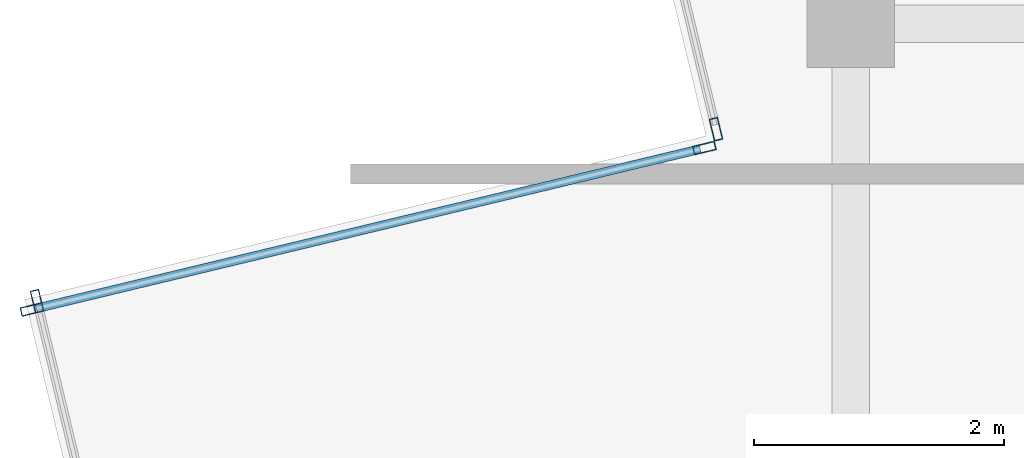
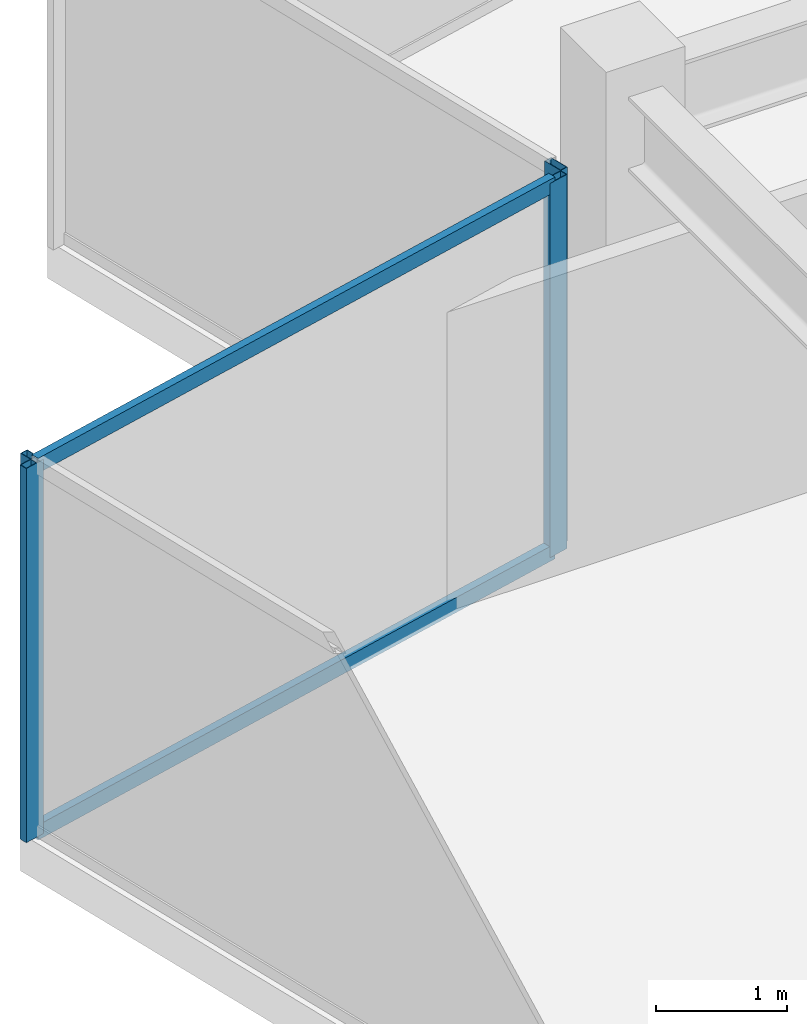
# One storey, part 7 of 19: 6 members, 3 elements without a shape of their own.
"""IFC4 building model written with IfcOpenShell, lengths in metres."""

from ifc_helpers import new_model, si_unit, direction, frame, origin, origin_2d, place, context, subcontext, project, spatial, hollow_rectangle, extrude, source, transform, mapped, material, material_profile, profile_set, type_object, type_shapes, element, aggregate, save


model = new_model("IFC4")

# Units and contexts
model_context = context("Model", 3, precision=1e-05, world=origin(), true_north=direction((0.0, 1.0)))
body_context = subcontext(model_context, "Body", "Model", "MODEL_VIEW")
ifc_project = project(units=[si_unit("LENGTHUNIT", "METRE"), si_unit("AREAUNIT", "SQUARE_METRE"), si_unit("VOLUMEUNIT", "CUBIC_METRE"), si_unit("PLANEANGLEUNIT", "RADIAN"), si_unit("MASSUNIT", "GRAM", prefix="KILO")], contexts=[model_context])

# Site, building, storey
site_placement = place(None, origin())
site = spatial("IfcSite", under=ifc_project, at=site_placement, CompositionType="ELEMENT")
building_placement = place(site_placement, origin())
building = spatial("IfcBuilding", under=site, at=building_placement, Name="Krantzveldt Concourse Tower", CompositionType="ELEMENT")
storey_placement = place(building_placement, frame((0.0, 0.0, 363.25)))
storey = spatial("IfcBuildingStorey", under=building, at=storey_placement, Name="L89", CompositionType="ELEMENT", Elevation=363.25)

# Curtain wall, member
ifc_material = material(Name="Anodised aluminium 6063-T6", Category="aluminium")
curtain_wall_type = type_object("IfcCurtainWallType", Name="CW7", PredefinedType="USERDEFINED", material=ifc_material)
curtain_wall_1_placement = place(storey_placement, origin())
curtain_wall_1 = element("IfcCurtainWall", 1, at=curtain_wall_1_placement, inside=storey, type_object=curtain_wall_type, Name="CW-L89-BASE-02", ObjectType="UNITISED CURTAIN WALL", PredefinedType="USERDEFINED")
ifc_material_profile_1 = material_profile(ifc_material, hollow_rectangle(XDim=0.070068359375, YDim=0.179931640625, WallThickness=0.0048828125, at=origin_2d()), Name="Anodised aluminium 6063-T6", Category="aluminium")
ifc_profile_set_1 = profile_set([ifc_material_profile_1], Name="Anodised aluminium 6063-T6 - ALU-MULL 180x70x5")
member_type_1 = type_object("IfcMemberType", Name="CW-MUL-180", PredefinedType="MULLION", material=ifc_profile_set_1)
shared_shape_1 = source(origin(), body_context, "Body", "SweptSolid", [
    extrude(hollow_rectangle(XDim=0.070068359375, YDim=0.179931640625, WallThickness=0.0048828125, at=origin_2d()), origin(), (0.0, 0.0, 1.0), 3.5),
])
type_shapes(member_type_1, [shared_shape_1])
member_1_placement = place(storey_placement, frame((19.92138671875, 36.65673828125, 0.0), z_axis=(0.0, 0.0, 1.0), x_axis=(0.972369663588, 0.233446433541, 0.0)))
member_1 = element("IfcMember", 2, at=member_1_placement, type_object=member_type_1, Name="CW-CRN mullion 2", PredefinedType="MULLION", context=body_context, shape_type="MappedRepresentation", body=[
    mapped(shared_shape_1, transform((0.0, 0.0, 0.0), x_axis=(1.0, 0.0, 0.0), y_axis=(0.0, 1.0, 0.0), z_axis=(0.0, 0.0, 1.0), scale=1.0)),
])
aggregate(curtain_wall_1, [member_1])

# Curtain wall, members
curtain_wall_2_placement = place(storey_placement, origin())
curtain_wall_2 = element("IfcCurtainWall", 3, at=curtain_wall_2_placement, inside=storey, type_object=curtain_wall_type, Name="CW-L89-BASE-03", ObjectType="UNITISED CURTAIN WALL", PredefinedType="USERDEFINED")
member_2_placement = place(storey_placement, frame((19.8291015625, 36.505859375, 0.0), z_axis=(0.0, 0.0, 1.0), x_axis=(0.233444339805, -0.97237016625, 0.0)))
member_2 = element("IfcMember", 4, at=member_2_placement, type_object=member_type_1, Name="CW-CRN mullion 1", PredefinedType="MULLION", context=body_context, shape_type="MappedRepresentation", body=[
    mapped(shared_shape_1, transform((0.0, 0.0, 0.0), x_axis=(1.0, 0.0, 0.0), y_axis=(0.0, 1.0, 0.0), z_axis=(0.0, 0.0, 1.0), scale=1.0)),
])
member_3_placement = place(storey_placement, frame((14.451904296875, 35.21484375, 0.0), z_axis=(0.0, 0.0, 1.0), x_axis=(0.233444339805, -0.97237016625, 0.0)))
member_3 = element("IfcMember", 5, at=member_3_placement, type_object=member_type_1, Name="CW-CRN mullion 2", PredefinedType="MULLION", context=body_context, shape_type="MappedRepresentation", body=[
    mapped(shared_shape_1, transform((0.0, 0.0, 0.0), x_axis=(1.0, 0.0, 0.0), y_axis=(0.0, 1.0, 0.0), z_axis=(0.0, 0.0, 1.0), scale=1.0)),
])

# Curtain wall, member
curtain_wall_3_placement = place(storey_placement, origin())
curtain_wall_3 = element("IfcCurtainWall", 6, at=curtain_wall_3_placement, inside=storey, type_object=curtain_wall_type, Name="CW-L89-BASE-04", ObjectType="UNITISED CURTAIN WALL", PredefinedType="USERDEFINED")
member_4_placement = place(storey_placement, frame((14.492431640625, 35.28125, 0.0), z_axis=(0.0, 0.0, 1.0), x_axis=(0.972369896884, 0.233445461796, 0.0)))
member_4 = element("IfcMember", 7, at=member_4_placement, type_object=member_type_1, Name="CW-CRN mullion 1", PredefinedType="MULLION", context=body_context, shape_type="MappedRepresentation", body=[
    mapped(shared_shape_1, transform((0.0, 0.0, 0.0), x_axis=(1.0, 0.0, 0.0), y_axis=(0.0, 1.0, 0.0), z_axis=(0.0, 0.0, 1.0), scale=1.0)),
])
aggregate(curtain_wall_3, [member_4])

# Member
ifc_material_profile_2 = material_profile(ifc_material, hollow_rectangle(XDim=0.070068359375, YDim=0.139892578125, WallThickness=0.0048828125, at=origin_2d()), Name="Anodised aluminium 6063-T6", Category="aluminium")
ifc_profile_set_2 = profile_set([ifc_material_profile_2], Name="Anodised aluminium 6063-T6 - ALU-TRAN 140x70x5")
member_type_2 = type_object("IfcMemberType", Name="CW-TRN-150", PredefinedType="USERDEFINED", material=ifc_profile_set_2)
shared_shape_2 = source(origin(), body_context, "Body", "SweptSolid", [
    extrude(hollow_rectangle(XDim=0.070068359375, YDim=0.139892578125, WallThickness=0.0048828125, at=origin_2d()), origin(), (0.0, 0.0, 1.0), 5.4599609375),
])
type_shapes(member_type_2, [shared_shape_2])
member_5_placement = place(storey_placement, frame((19.794921875, 36.497802734375, 0.034912109375), z_axis=(-0.972367410185, -0.233455819396, 0.0), x_axis=(0.233455819396, -0.972367410185, 0.0)))
member_5 = element("IfcMember", 8, at=member_5_placement, type_object=member_type_2, Name="CW-CRN transom 1.1", ObjectType="TRANSOM", PredefinedType="USERDEFINED", context=body_context, shape_type="MappedRepresentation", body=[
    mapped(shared_shape_2, transform((0.0, 0.0, 0.0), x_axis=(1.0, 0.0, 0.0), y_axis=(0.0, 1.0, 0.0), z_axis=(0.0, 0.0, 1.0), scale=1.0)),
])

member_6_placement = place(storey_placement, frame((19.794921875, 36.497802734375, 3.465087890625), z_axis=(-0.972367410185, -0.233455819396, 0.0), x_axis=(0.233455819396, -0.972367410185, 0.0)))
member_6 = element("IfcMember", 9, at=member_6_placement, type_object=member_type_2, Name="CW-CRN transom 1.2", ObjectType="TRANSOM", PredefinedType="USERDEFINED", context=body_context, shape_type="MappedRepresentation", body=[
    mapped(shared_shape_2, transform((0.0, 0.0, 0.0), x_axis=(1.0, 0.0, 0.0), y_axis=(0.0, 1.0, 0.0), z_axis=(0.0, 0.0, 1.0), scale=1.0)),
])

aggregate(curtain_wall_2, [member_2, member_3, member_5, member_6])

save(model, "model.ifc")
